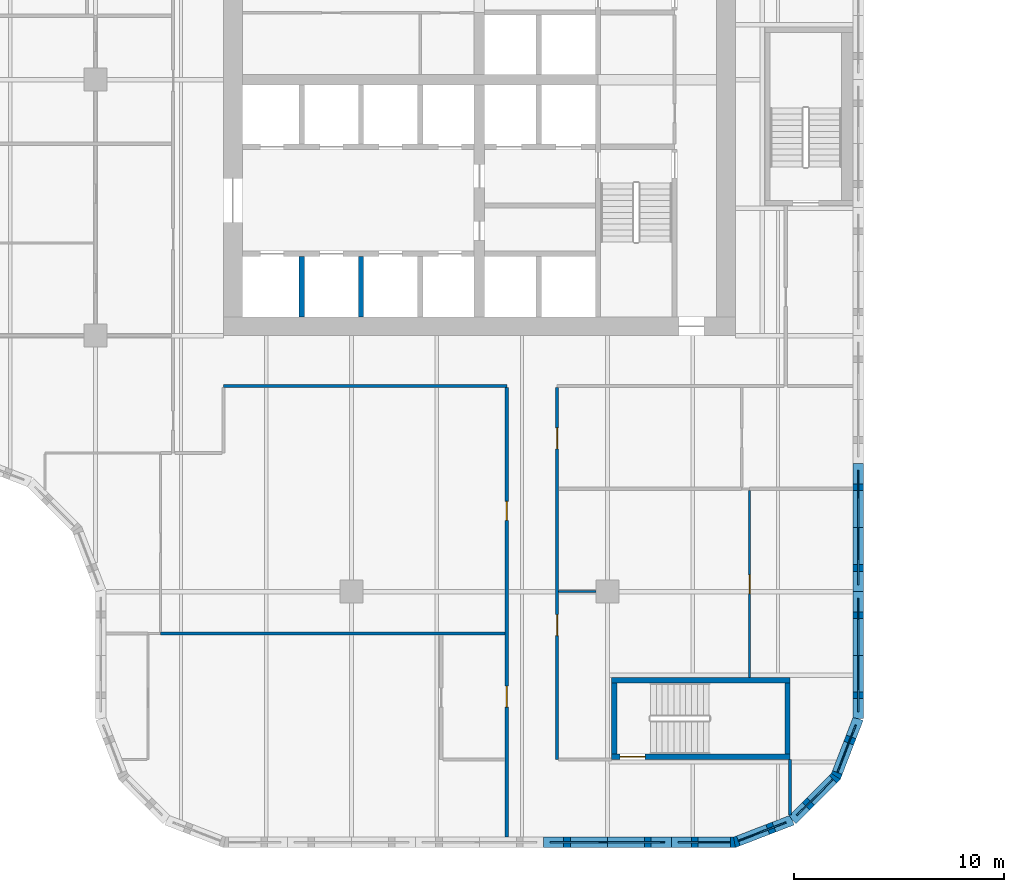
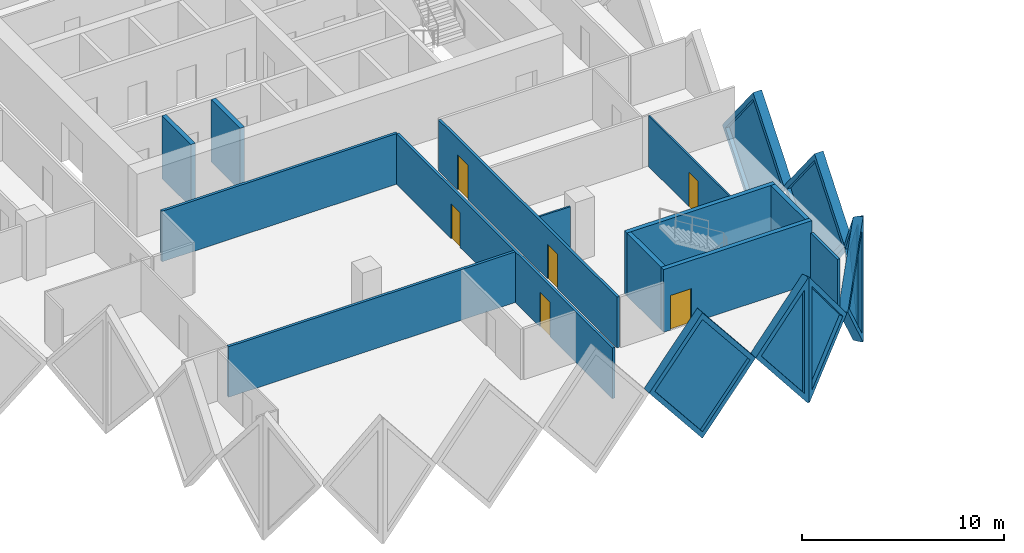
# One storey, part 6 of 20: 20 walls, 7 plates, 6 doors, 13 openings.
"""IFC4 building model written with IfcOpenShell, lengths in metres."""

from ifc_helpers import new_model, si_unit, direction, frame, frame_2d, origin, place, context, subcontext, project, spatial, polyline, rectangle, outline, extrude, faceted_brep, source, transform, mapped, material, layer, layer_set, type_object, element, fill, save


model = new_model("IFC4")

# Units and contexts
model_context = context("Model", 3, precision=1e-05, world=origin(), true_north=direction((0.0, 1.0)))
body_context = subcontext(model_context, "Body", "Model", "MODEL_VIEW")
ifc_project = project(units=[si_unit("LENGTHUNIT", "METRE"), si_unit("AREAUNIT", "SQUARE_METRE"), si_unit("VOLUMEUNIT", "CUBIC_METRE"), si_unit("PLANEANGLEUNIT", "RADIAN"), si_unit("MASSUNIT", "GRAM", prefix="KILO")], contexts=[model_context])

# Site, building, storey
site_placement = place(None, origin())
site = spatial("IfcSite", under=ifc_project, at=site_placement, CompositionType="ELEMENT")
building_placement = place(site_placement, origin())
building = spatial("IfcBuilding", under=site, at=building_placement, Name="Tessera Gate Towers", CompositionType="ELEMENT")
storey_placement = place(building_placement, frame((0.0, 0.0, 48.60009765625)))
storey = spatial("IfcBuildingStorey", under=building, at=storey_placement, Name="L11", CompositionType="ELEMENT", Elevation=48.60009765625)

# Walls
ifc_material_1 = material(Name="Concrete C40/50", Category="concrete")
ifc_layer_1 = layer(ifc_material_1, 0.25)
ifc_layer_set_1 = layer_set([ifc_layer_1], Name="CORE ENCLOSURE WALL 250")
wall_type_1 = type_object("IfcWallType", Name="CORE ENCLOSURE WALL 250", PredefinedType="SOLIDWALL", material=ifc_layer_set_1)
for number, where, z_axis, x_axis, name in (
    (1, (34.22509765625, 25.300048828125, 0.0), (0.0, 0.0, 1.0), (0.0, 1.0, 0.0), "L11 shaft and stair enclosure wall"),
    (2, (37.050048828125, 25.300048828125, 0.0), (0.0, 0.0, 1.0), (0.0, 1.0, 0.0), "L11 shaft and stair enclosure wall"),
):
    element("IfcWall", number, at=place(storey_placement, frame(where, z_axis=z_axis, x_axis=x_axis)), inside=storey, type_object=wall_type_1, Name=name, PredefinedType="SOLIDWALL", context=body_context, shape_type="SweptSolid", body=[
        extrude(rectangle(XDim=2.875, YDim=0.25, at=frame_2d((1.4375, 0.0))), origin(), (0.0, 0.0, 1.0), 3.7998046875),
    ])

# Wall, opening, door
wall_1_placement = place(storey_placement, frame((57.5, 4.324951171875, 0.0), z_axis=(0.0, 0.0, 1.0), x_axis=(-1.0, 0.0, 0.0)))
wall_1 = element("IfcWall", 3, at=wall_1_placement, inside=storey, type_object=wall_type_1, Name="L11 ST4 enclosure wall", PredefinedType="SOLIDWALL", context=body_context, shape_type="SweptSolid", body=[
    extrude(rectangle(XDim=8.5, YDim=0.25, at=frame_2d((4.25, 0.0))), origin(), (0.0, 0.0, 1.0), 3.7998046875),
])
shared_shape_1 = source(origin(), body_context, "Body", "SweptSolid", [
    extrude(rectangle(XDim=1.199951171875, YDim=2.10009765625, at=frame_2d((0.60009765625, 1.050048828125))), frame((0.0, 0.135009765625, 0.0), z_axis=(0.0, -1.0, 0.0), x_axis=(1.0, 0.0, 0.0)), (0.0, 0.0, 1.0), 0.27001953125),
])
opening_1_placement = place(wall_1_placement, frame((6.89990234375, 0.0, 0.0)))
opening_1 = element("IfcOpeningElement", 4, at=opening_1_placement, cuts=wall_1, Name="Opening SD-ST4-1", PredefinedType="OPENING", context=body_context, shape_type="MappedRepresentation", body=[
    mapped(shared_shape_1, transform((0.0, 0.0, 0.0), scale=1.0)),
])
ifc_material_2 = material(Name="Hollow steel fire door", Category="steel")
door_type_1 = type_object("IfcDoorType", Name="CORE DOOR SD 1200x2100", OperationType="NOTDEFINED", PredefinedType="DOOR", material=ifc_material_2)
shared_shape_2 = source(origin(), body_context, "Body", "SweptSolid", [
    extrude(rectangle(XDim=1.199951171875, YDim=2.10009765625, at=frame_2d((0.60009765625, 1.050048828125))), frame((0.0, 0.02490234375, 0.0), z_axis=(0.0, -1.0, 0.0), x_axis=(1.0, 0.0, 0.0)), (0.0, 0.0, 1.0), 0.050048828125),
])
door_1_placement = place(opening_1_placement, origin())
door_1 = element("IfcDoor", 5, at=door_1_placement, inside=storey, type_object=door_type_1, Name="Stair door", OperationType="SINGLE_SWING_RIGHT", OverallHeight=2.10009765625, OverallWidth=1.199951171875, PredefinedType="DOOR", context=body_context, shape_type="MappedRepresentation", body=[
    mapped(shared_shape_2, transform((0.0, 0.0, 0.0), scale=1.0)),
])
fill(opening_1, door_1)

# Walls
wall_2_placement = place(storey_placement, frame((49.125, 4.449951171875, 0.0), z_axis=(0.0, 0.0, 1.0), x_axis=(0.0, 1.0, 0.0)))
element("IfcWall", 6, at=wall_2_placement, inside=storey, type_object=wall_type_1, Name="L11 ST4 enclosure wall", PredefinedType="SOLIDWALL", context=body_context, shape_type="SweptSolid", body=[
    extrude(rectangle(XDim=3.400146484375, YDim=0.25, at=frame_2d((1.7001953125, 0.0))), origin(), (0.0, 0.0, 1.0), 3.7998046875),
])
wall_3_placement = place(storey_placement, frame((49.0, 7.97509765625, 0.0), z_axis=(0.0, 0.0, 1.0), x_axis=(1.0, 0.0, 0.0)))
element("IfcWall", 7, at=wall_3_placement, inside=storey, type_object=wall_type_1, Name="L11 ST4 enclosure wall", PredefinedType="SOLIDWALL", context=body_context, shape_type="SweptSolid", body=[
    extrude(rectangle(XDim=8.5, YDim=0.25, at=frame_2d((4.25, 0.0))), origin(), (0.0, 0.0, 1.0), 3.7998046875),
])
wall_4_placement = place(storey_placement, frame((57.375, 7.85009765625, 0.0), z_axis=(0.0, 0.0, 1.0), x_axis=(0.0, -1.0, 0.0)))
element("IfcWall", 8, at=wall_4_placement, inside=storey, type_object=wall_type_1, Name="L11 ST4 enclosure wall", PredefinedType="SOLIDWALL", context=body_context, shape_type="SweptSolid", body=[
    extrude(rectangle(XDim=3.400146484375, YDim=0.25, at=frame_2d((1.7001953125, 0.0))), origin(), (0.0, 0.0, 1.0), 3.7998046875),
])

# Wall, openings, doors
ifc_material_3 = material(Name="Gypsum board on steel studs, mineral wool", Category="steel")
ifc_layer_2 = layer(ifc_material_3, 0.14990234375)
ifc_layer_set_2 = layer_set([ifc_layer_2], Name="CORRIDOR WALL 150")
wall_type_2 = type_object("IfcWallType", Name="CORRIDOR WALL 150", PredefinedType="PARTITIONING", material=ifc_layer_set_2)
wall_5_placement = place(storey_placement, frame((44.0, 0.5, 0.0), z_axis=(0.0, 0.0, 1.0), x_axis=(0.0, 1.0, 0.0)))
wall_5 = element("IfcWall", 9, at=wall_5_placement, inside=storey, type_object=wall_type_2, Name="T1-L11-PW-001", PredefinedType="PARTITIONING", context=body_context, shape_type="SweptSolid", body=[
    extrude(rectangle(XDim=21.424072265625, YDim=0.14990234375, at=frame_2d((10.7119140625, 0.0))), origin(), (0.0, 0.0, 1.0), 3.06689453125),
])
shared_shape_3 = source(origin(), body_context, "Body", "SweptSolid", [
    extrude(rectangle(XDim=1.0, YDim=2.10009765625, at=frame_2d((0.5, 1.050048828125))), frame((0.0, 0.0849609375, 0.0), z_axis=(0.0, -1.0, 0.0), x_axis=(1.0, 0.0, 0.0)), (0.0, 0.0, 1.0), 0.169921875),
])
opening_2_placement = place(wall_5_placement, frame((6.199951171875, 0.0, 0.0)))
opening_2 = element("IfcOpeningElement", 10, at=opening_2_placement, cuts=wall_5, Name="Opening D2100FD60-A04-04", PredefinedType="OPENING", context=body_context, shape_type="MappedRepresentation", body=[
    mapped(shared_shape_3, transform((0.0, 0.0, 0.0), scale=1.0)),
])
shared_shape_4 = source(origin(), body_context, "Body", "SweptSolid", [
    extrude(rectangle(XDim=0.89990234375, YDim=2.10009765625, at=frame_2d((0.449951171875, 1.050048828125))), frame((0.0, 0.0849609375, 0.0), z_axis=(0.0, -1.0, 0.0), x_axis=(1.0, 0.0, 0.0)), (0.0, 0.0, 1.0), 0.169921875),
])
opening_3_placement = place(wall_5_placement, frame((15.10009765625, 0.0, 0.0)))
opening_3 = element("IfcOpeningElement", 11, at=opening_3_placement, cuts=wall_5, Name="Opening D890FD60-A04-05", PredefinedType="OPENING", context=body_context, shape_type="MappedRepresentation", body=[
    mapped(shared_shape_4, transform((0.0, 0.0, 0.0), scale=1.0)),
])
ifc_material_4 = material(Name="Timber door leaf in steel frame", Category="steel")
door_type_2 = type_object("IfcDoorType", Name="CORRIDOR DOOR 900 FD60", OperationType="NOTDEFINED", PredefinedType="DOOR", material=ifc_material_4)
shared_shape_5 = source(origin(), body_context, "Body", "SweptSolid", [
    extrude(rectangle(XDim=0.89990234375, YDim=2.10009765625, at=frame_2d((0.449951171875, 1.050048828125))), frame((0.0, 0.02490234375, 0.0), z_axis=(0.0, -1.0, 0.0), x_axis=(1.0, 0.0, 0.0)), (0.0, 0.0, 1.0), 0.050048828125),
])
door_2_placement = place(opening_3_placement, origin())
door_2 = element("IfcDoor", 12, at=door_2_placement, inside=storey, type_object=door_type_2, Name="T1-L11-PD-026", OperationType="SINGLE_SWING_LEFT", OverallHeight=2.10009765625, OverallWidth=0.89990234375, PredefinedType="DOOR", context=body_context, shape_type="MappedRepresentation", body=[
    mapped(shared_shape_5, transform((0.0, 0.0, 0.0), scale=1.0)),
])
fill(opening_3, door_2)
ifc_material_5 = material(Name="Timber door leaf in steel frame", Category="steel")
door_type_3 = type_object("IfcDoorType", Name="TENANCY ENTRANCE DOOR 1000 FD60", OperationType="NOTDEFINED", PredefinedType="DOOR", material=ifc_material_5)
shared_shape_6 = source(origin(), body_context, "Body", "SweptSolid", [
    extrude(rectangle(XDim=1.0, YDim=2.10009765625, at=frame_2d((0.5, 1.050048828125))), frame((0.0, 0.02490234375, 0.0), z_axis=(0.0, -1.0, 0.0), x_axis=(1.0, 0.0, 0.0)), (0.0, 0.0, 1.0), 0.050048828125),
])
door_3_placement = place(opening_2_placement, origin())
door_3 = element("IfcDoor", 13, at=door_3_placement, inside=storey, type_object=door_type_3, Name="T1-L11-PD-015", OperationType="SINGLE_SWING_LEFT", OverallHeight=2.10009765625, OverallWidth=1.0, PredefinedType="DOOR", context=body_context, shape_type="MappedRepresentation", body=[
    mapped(shared_shape_6, transform((0.0, 0.0, 0.0), scale=1.0)),
])
fill(opening_2, door_3)

# Wall
wall_6_placement = place(storey_placement, frame((57.5, 1.55908203125, 0.0), z_axis=(0.0, 0.0, 1.0), x_axis=(0.0, 1.0, 0.0)))
element("IfcWall", 14, at=wall_6_placement, inside=storey, type_object=wall_type_2, Name="T1-L11-PW-002", PredefinedType="PARTITIONING", context=body_context, shape_type="SweptSolid", body=[
    extrude(rectangle(XDim=2.640869140625, YDim=0.14990234375, at=frame_2d((1.3203125, 0.0))), origin(), (0.0, 0.0, 1.0), 3.06689453125),
])

# Wall, openings, doors
wall_7_placement = place(storey_placement, frame((46.39990234375, 21.924072265625, 0.0), z_axis=(0.0, 0.0, 1.0), x_axis=(0.0, -1.0, 0.0)))
wall_7 = element("IfcWall", 15, at=wall_7_placement, inside=storey, type_object=wall_type_2, Name="T1-L11-PW-007", PredefinedType="PARTITIONING", context=body_context, shape_type="SweptSolid", body=[
    extrude(rectangle(XDim=17.72412109375, YDim=0.14990234375, at=frame_2d((8.862060546875, 0.0))), origin(), (0.0, 0.0, 1.0), 3.06689453125),
])
opening_4_placement = place(wall_7_placement, frame((1.923095703125, 0.0, 0.0)))
opening_4 = element("IfcOpeningElement", 16, at=opening_4_placement, cuts=wall_7, Name="Opening D2100FD60-A04-02", PredefinedType="OPENING", context=body_context, shape_type="MappedRepresentation", body=[
    mapped(shared_shape_3, transform((0.0, 0.0, 0.0), scale=1.0)),
])
opening_5_placement = place(wall_7_placement, frame((10.823974609375, 0.0, 0.0)))
opening_5 = element("IfcOpeningElement", 17, at=opening_5_placement, cuts=wall_7, Name="Opening D2100FD60-A04-09", PredefinedType="OPENING", context=body_context, shape_type="MappedRepresentation", body=[
    mapped(shared_shape_3, transform((0.0, 0.0, 0.0), scale=1.0)),
])
door_4_placement = place(opening_4_placement, origin())
door_4 = element("IfcDoor", 18, at=door_4_placement, inside=storey, type_object=door_type_3, Name="T1-L11-PD-008", OperationType="SINGLE_SWING_RIGHT", OverallHeight=2.10009765625, OverallWidth=1.0, PredefinedType="DOOR", context=body_context, shape_type="MappedRepresentation", body=[
    mapped(shared_shape_6, transform((0.0, 0.0, 0.0), scale=1.0)),
])
fill(opening_4, door_4)
door_5_placement = place(opening_5_placement, origin())
door_5 = element("IfcDoor", 19, at=door_5_placement, inside=storey, type_object=door_type_3, Name="T1-L11-PD-029", OperationType="SINGLE_SWING_RIGHT", OverallHeight=2.10009765625, OverallWidth=1.0, PredefinedType="DOOR", context=body_context, shape_type="MappedRepresentation", body=[
    mapped(shared_shape_6, transform((0.0, 0.0, 0.0), scale=1.0)),
])
fill(opening_5, door_5)

# Wall
wall_8_placement = place(storey_placement, frame((30.5, 22.0, 0.0), z_axis=(0.0, 0.0, 1.0), x_axis=(1.0, 0.0, 0.0)))
element("IfcWall", 20, at=wall_8_placement, inside=storey, type_object=wall_type_2, Name="T1-L11-PW-026", PredefinedType="PARTITIONING", context=body_context, shape_type="SweptSolid", body=[
    extrude(rectangle(XDim=13.5, YDim=0.14990234375, at=frame_2d((6.75, 0.0))), origin(), (0.0, 0.0, 1.0), 3.06689453125),
])

# Wall, opening, door
ifc_material_6 = material(Name="Glass", Category="glass")
ifc_layer_3 = layer(ifc_material_6, 0.10009765625)
ifc_layer_set_3 = layer_set([ifc_layer_3], Name="GLAZED PARTITION 100")
wall_type_3 = type_object("IfcWallType", Name="GLAZED PARTITION 100", PredefinedType="PARTITIONING", material=ifc_layer_set_3)
wall_9_placement = place(storey_placement, frame((55.574951171875, 17.02392578125, 0.0), z_axis=(0.0, 0.0, 1.0), x_axis=(0.0, -1.0, 0.0)))
wall_9 = element("IfcWall", 21, at=wall_9_placement, inside=storey, type_object=wall_type_3, Name="T1-L11-PW-009", PredefinedType="PARTITIONING", context=body_context, shape_type="SweptSolid", body=[
    extrude(rectangle(XDim=8.923828125, YDim=0.10009765625, at=frame_2d((4.4619140625, 0.0))), origin(), (0.0, 0.0, 1.0), 3.06689453125),
])
shared_shape_7 = source(origin(), body_context, "Body", "SweptSolid", [
    extrude(rectangle(XDim=0.89990234375, YDim=2.10009765625, at=frame_2d((0.449951171875, 1.050048828125))), frame((0.0, 0.06005859375, 0.0), z_axis=(0.0, -1.0, 0.0), x_axis=(1.0, 0.0, 0.0)), (0.0, 0.0, 1.0), 0.1201171875),
])
opening_6_placement = place(wall_9_placement, frame((4.02392578125, 0.0, 0.0)))
opening_6 = element("IfcOpeningElement", 22, at=opening_6_placement, cuts=wall_9, Name="Opening D690-A04-04", PredefinedType="OPENING", context=body_context, shape_type="MappedRepresentation", body=[
    mapped(shared_shape_7, transform((0.0, 0.0, 0.0), scale=1.0)),
])
ifc_material_7 = material(Name="Glass in aluminium frame", Category="aluminium")
door_type_4 = type_object("IfcDoorType", Name="GLAZED DOOR 900 NOT RATED", OperationType="NOTDEFINED", PredefinedType="DOOR", material=ifc_material_7)
door_6_placement = place(opening_6_placement, origin())
door_6 = element("IfcDoor", 23, at=door_6_placement, inside=storey, type_object=door_type_4, Name="T1-L11-PD-022", OperationType="SINGLE_SWING_RIGHT", OverallHeight=2.10009765625, OverallWidth=0.89990234375, PredefinedType="DOOR", context=body_context, shape_type="MappedRepresentation", body=[
    mapped(shared_shape_5, transform((0.0, 0.0, 0.0), scale=1.0)),
])
fill(opening_6, door_6)

# Walls
ifc_material_8 = material(Name="Gypsum board on steel studs", Category="steel")
ifc_layer_4 = layer(ifc_material_8, 0.10009765625)
ifc_layer_set_4 = layer_set([ifc_layer_4], Name="PARTITION 100")
wall_type_4 = type_object("IfcWallType", Name="PARTITION 100", PredefinedType="PARTITIONING", material=ifc_layer_set_4)
wall_10_placement = place(storey_placement, frame((48.25, 12.199951171875, 0.0), z_axis=(0.0, 0.0, 1.0), x_axis=(-1.0, 0.0, 0.0)))
element("IfcWall", 24, at=wall_10_placement, inside=storey, type_object=wall_type_4, Name="T1-L11-PW-014", PredefinedType="PARTITIONING", context=body_context, shape_type="SweptSolid", body=[
    extrude(rectangle(XDim=1.77490234375, YDim=0.10009765625, at=frame_2d((0.887451171875, 0.0))), origin(), (0.0, 0.0, 1.0), 3.06689453125),
])
ifc_material_9 = material(Name="Gypsum board on steel studs, mineral wool", Category="steel")
ifc_layer_5 = layer(ifc_material_9, 0.14990234375)
ifc_layer_set_5 = layer_set([ifc_layer_5], Name="TENANCY WALL 150")
wall_type_5 = type_object("IfcWallType", Name="TENANCY WALL 150", PredefinedType="PARTITIONING", material=ifc_layer_set_5)
wall_11_placement = place(storey_placement, frame((27.5, 10.199951171875, 0.0), z_axis=(0.0, 0.0, 1.0), x_axis=(1.0, 0.0, 0.0)))
element("IfcWall", 25, at=wall_11_placement, inside=storey, type_object=wall_type_5, Name="T1-L11-PW-012", PredefinedType="PARTITIONING", context=body_context, shape_type="SweptSolid", body=[
    extrude(rectangle(XDim=16.424072265625, YDim=0.14990234375, at=frame_2d((8.2119140625, 0.0))), origin(), (0.0, 0.0, 1.0), 3.06689453125),
])

# Wall, opening, plate
ifc_material_10 = material(Name="Precast concrete C60/75 white", Category="concrete")
ifc_layer_6 = layer(ifc_material_10, 0.5)
ifc_layer_set_6 = layer_set([ifc_layer_6], Name="TS1 tessera")
wall_type_6 = type_object("IfcWallType", Name="TS1 tessera", PredefinedType="SOLIDWALL", material=ifc_layer_set_6)
shared_shape_8 = source(origin(), body_context, "Body", "Brep", [
    faceted_brep([(3.00341796875, -0.25, 0.0), (6.053466796875, -0.25, 3.800048828125), (3.00341796875, -0.25, 7.599853515625), (0.0, -0.25, 3.800048828125), (0.046630859375, 0.25, 3.85888671875), (3.00341796875, 0.25, 7.599853515625), (6.053466796875, 0.25, 3.800048828125), (3.00341796875, 0.25, 0.0), (0.046630859375, 0.25, 3.7412109375), (0.0, 0.0, 3.800048828125)], [[[0, 1, 2, 3]], [[4, 5, 6, 7, 8]], [[7, 6, 1, 0]], [[6, 5, 2, 1]], [[5, 4, 9, 3, 2]], [[8, 7, 0, 3, 9]], [[8, 9, 4]]]),
])
wall_12_placement = place(storey_placement, frame((60.75, 6.146484375, -3.800048828125), z_axis=(0.0, 0.0, 1.0), x_axis=(0.0, 1.0, 0.0)))
wall_12 = element("IfcWall", 26, at=wall_12_placement, inside=storey, type_object=wall_type_6, Name="Precast tessera T1 TS1-0141", PredefinedType="SOLIDWALL", context=body_context, shape_type="MappedRepresentation", body=[
    mapped(shared_shape_8, transform((0.0, 0.0, 0.0), scale=1.0)),
])
shared_shape_9 = source(origin(), body_context, "Body", "SweptSolid", [
    extrude(outline(polyline([(3.0048828125, 0.401123046875), (5.73291015625, 3.800048828125), (3.0048828125, 7.19873046875), (0.318603515625, 3.800048828125), (3.0048828125, 0.401123046875)])), frame((0.0, 0.260009765625, 0.0), z_axis=(0.0, -1.0, 0.0), x_axis=(1.0, 0.0, 0.0)), (0.0, 0.0, 1.0), 0.52001953125),
])
opening_7_placement = place(wall_12_placement, origin())
opening_7 = element("IfcOpeningElement", 27, at=opening_7_placement, cuts=wall_12, Name="Opening T1-PL2-0291", PredefinedType="OPENING", context=body_context, shape_type="MappedRepresentation", body=[
    mapped(shared_shape_9, transform((0.0, 0.0, 0.0), scale=1.0)),
])
ifc_material_11 = material(Name="Low-e laminated glass", Category="glass")
ifc_layer_7 = layer(ifc_material_11, 0.06005859375)
ifc_layer_set_7 = layer_set([ifc_layer_7], Name="PL2 rhombic pane")
plate_type = type_object("IfcPlateType", Name="PL2 rhombic pane", PredefinedType="SHEET", material=ifc_layer_set_7)
shared_shape_10 = source(origin(), body_context, "Body", "SweptSolid", [
    extrude(outline(polyline([(3.0048828125, 0.401123046875), (5.73291015625, 3.800048828125), (3.0048828125, 7.19873046875), (0.318603515625, 3.800048828125), (3.0048828125, 0.401123046875)])), frame((0.0, 0.030029296875, 0.0), z_axis=(0.0, -1.0, 0.0), x_axis=(1.0, 0.0, 0.0)), (0.0, 0.0, 1.0), 0.06005859375),
])
plate_1_placement = place(opening_7_placement, origin())
plate_1 = element("IfcPlate", 28, at=plate_1_placement, inside=storey, type_object=plate_type, Name="Glass pane T1 PL2-0291", PredefinedType="SHEET", context=body_context, shape_type="MappedRepresentation", body=[
    mapped(shared_shape_10, transform((0.0, 0.0, 0.0), scale=1.0)),
])
fill(opening_7, plate_1)

shared_shape_11 = source(origin(), body_context, "Body", "SweptSolid", [
    extrude(outline(polyline([(3.050048828125, 0.0), (6.10009765625, 3.800048828125), (3.050048828125, 7.599853515625), (0.0, 3.800048828125), (3.050048828125, 0.0)])), frame((0.0, 0.25, 0.0), z_axis=(0.0, -1.0, 0.0), x_axis=(1.0, 0.0, 0.0)), (0.0, 0.0, 1.0), 0.5),
])
wall_13_placement = place(storey_placement, frame((45.75, 0.25, -3.800048828125), z_axis=(0.0, 0.0, 1.0), x_axis=(1.0, 0.0, 0.0)))
wall_13 = element("IfcWall", 29, at=wall_13_placement, inside=storey, type_object=wall_type_6, Name="Precast tessera T1 TS1-0140", PredefinedType="SOLIDWALL", context=body_context, shape_type="MappedRepresentation", body=[
    mapped(shared_shape_11, transform((0.0, 0.0, 0.0), scale=1.0)),
])
shared_shape_12 = source(origin(), body_context, "Body", "SweptSolid", [
    extrude(outline(polyline([(3.050048828125, 0.3994140625), (5.779541015625, 3.800048828125), (3.050048828125, 7.200439453125), (0.320556640625, 3.800048828125), (3.050048828125, 0.3994140625)])), frame((0.0, 0.260009765625, 0.0), z_axis=(0.0, -1.0, 0.0), x_axis=(1.0, 0.0, 0.0)), (0.0, 0.0, 1.0), 0.52001953125),
])
opening_8_placement = place(wall_13_placement, origin())
opening_8 = element("IfcOpeningElement", 30, at=opening_8_placement, cuts=wall_13, Name="Opening T1-PL2-0286", PredefinedType="OPENING", context=body_context, shape_type="MappedRepresentation", body=[
    mapped(shared_shape_12, transform((0.0, 0.0, 0.0), scale=1.0)),
])
shared_shape_13 = source(origin(), body_context, "Body", "SweptSolid", [
    extrude(outline(polyline([(3.050048828125, 0.3994140625), (5.779541015625, 3.800048828125), (3.050048828125, 7.200439453125), (0.320556640625, 3.800048828125), (3.050048828125, 0.3994140625)])), frame((0.0, 0.030029296875, 0.0), z_axis=(0.0, -1.0, 0.0), x_axis=(1.0, 0.0, 0.0)), (0.0, 0.0, 1.0), 0.06005859375),
])
plate_2_placement = place(opening_8_placement, origin())
plate_2 = element("IfcPlate", 31, at=plate_2_placement, inside=storey, type_object=plate_type, Name="Glass pane T1 PL2-0286", PredefinedType="SHEET", context=body_context, shape_type="MappedRepresentation", body=[
    mapped(shared_shape_13, transform((0.0, 0.0, 0.0), scale=1.0)),
])
fill(opening_8, plate_2)

wall_14_placement = place(storey_placement, frame((60.75, 12.199951171875, -3.800048828125), z_axis=(0.0, 0.0, 1.0), x_axis=(0.0, 1.0, 0.0)))
wall_14 = element("IfcWall", 32, at=wall_14_placement, inside=storey, type_object=wall_type_6, Name="Precast tessera T1 TS1-0142", PredefinedType="SOLIDWALL", context=body_context, shape_type="MappedRepresentation", body=[
    mapped(shared_shape_11, transform((0.0, 0.0, 0.0), scale=1.0)),
])
opening_9_placement = place(wall_14_placement, origin())
opening_9 = element("IfcOpeningElement", 33, at=opening_9_placement, cuts=wall_14, Name="Opening T1-PL2-0292", PredefinedType="OPENING", context=body_context, shape_type="MappedRepresentation", body=[
    mapped(shared_shape_12, transform((0.0, 0.0, 0.0), scale=1.0)),
])
plate_3_placement = place(opening_9_placement, origin())
plate_3 = element("IfcPlate", 34, at=plate_3_placement, inside=storey, type_object=plate_type, Name="Glass pane T1 PL2-0292", PredefinedType="SHEET", context=body_context, shape_type="MappedRepresentation", body=[
    mapped(shared_shape_13, transform((0.0, 0.0, 0.0), scale=1.0)),
])
fill(opening_9, plate_3)

ifc_material_12 = material(Name="Precast concrete C60/75 white", Category="concrete")
ifc_layer_8 = layer(ifc_material_12, 0.5)
ifc_layer_set_8 = layer_set([ifc_layer_8], Name="TS3 corner tessera")
wall_type_7 = type_object("IfcWallType", Name="TS3 corner tessera", PredefinedType="SOLIDWALL", material=ifc_layer_set_8)
shared_shape_14 = source(origin(), body_context, "Body", "Brep", [
    faceted_brep([(3.00341796875, -0.25, 0.0), (3.050048828125, -0.25, 0.06005859375), (3.050048828125, -0.25, 7.539794921875), (3.00341796875, -0.25, 7.599853515625), (0.0, -0.25, 3.800048828125), (0.0, 0.25, 3.800048828125), (2.956787109375, 0.25, 7.541015625), (2.956787109375, 0.25, 0.058837890625), (3.00341796875, 0.000244140625, 0.0), (3.00341796875, 0.000244140625, 7.599853515625)], [[[0, 1, 2, 3, 4]], [[5, 6, 7]], [[1, 0, 8]], [[9, 3, 2]], [[6, 5, 4, 3, 9]], [[5, 7, 8, 0, 4]], [[1, 8, 7, 6, 9, 2]]]),
])
wall_15_placement = place(storey_placement, frame((51.85009765625, 0.25, -3.800048828125), z_axis=(0.0, 0.0, 1.0), x_axis=(1.0, 0.0, 0.0)))
wall_15 = element("IfcWall", 35, at=wall_15_placement, inside=storey, type_object=wall_type_7, Name="Precast corner tessera T1 TS3-0219", PredefinedType="SOLIDWALL", context=body_context, shape_type="MappedRepresentation", body=[
    mapped(shared_shape_14, transform((0.0, 0.0, 0.0), scale=1.0)),
])
shared_shape_15 = source(origin(), body_context, "Body", "SweptSolid", [
    extrude(outline(polyline([(2.803466796875, 6.94384765625), (0.318603515625, 3.800048828125), (2.803466796875, 0.65625), (2.803466796875, 6.94384765625)])), frame((0.0, 0.260009765625, 0.0), z_axis=(0.0, -1.0, 0.0), x_axis=(1.0, 0.0, 0.0)), (0.0, 0.0, 1.0), 0.52001953125),
])
opening_10_placement = place(wall_15_placement, origin())
opening_10 = element("IfcOpeningElement", 36, at=opening_10_placement, cuts=wall_15, Name="Opening T1-PL2-0287", PredefinedType="OPENING", context=body_context, shape_type="MappedRepresentation", body=[
    mapped(shared_shape_15, transform((0.0, 0.0, 0.0), scale=1.0)),
])
shared_shape_16 = source(origin(), body_context, "Body", "SweptSolid", [
    extrude(outline(polyline([(2.803466796875, 6.94384765625), (0.318603515625, 3.800048828125), (2.803466796875, 0.65625), (2.803466796875, 6.94384765625)])), frame((0.0, 0.030029296875, 0.0), z_axis=(0.0, -1.0, 0.0), x_axis=(1.0, 0.0, 0.0)), (0.0, 0.0, 1.0), 0.06005859375),
])
plate_4_placement = place(opening_10_placement, origin())
plate_4 = element("IfcPlate", 37, at=plate_4_placement, inside=storey, type_object=plate_type, Name="Glass pane T1 PL2-0287", PredefinedType="SHEET", context=body_context, shape_type="MappedRepresentation", body=[
    mapped(shared_shape_16, transform((0.0, 0.0, 0.0), scale=1.0)),
])
fill(opening_10, plate_4)

shared_shape_17 = source(origin(), body_context, "Body", "Brep", [
    faceted_brep([(0.046630859375, -0.25, 0.0), (2.9970703125, -0.25, 3.800048828125), (0.046630859375, -0.25, 7.599853515625), (0.0, -0.25, 7.541015625), (0.0, -0.25, 0.058837890625), (0.09326171875, 0.25, 7.539794921875), (2.9443359375, 0.25, 3.8681640625), (2.9443359375, 0.25, 3.73193359375), (0.09326171875, 0.25, 0.06005859375), (2.9970703125, 0.00048828125, 3.800048828125), (0.046630859375, 0.0, 0.0), (0.046630859375, 0.0, 7.599853515625)], [[[0, 1, 2, 3, 4]], [[5, 6, 7, 8]], [[8, 7, 9, 1, 0, 10]], [[6, 5, 11, 2, 1, 9]], [[3, 2, 11]], [[10, 0, 4]], [[8, 10, 4, 3, 11, 5]], [[7, 6, 9]]]),
])
wall_16_placement = place(storey_placement, frame((54.81005859375, 0.233154296875, -3.800048828125), z_axis=(0.0, 0.0, 1.0), x_axis=(0.932990326376, 0.359901446078, 0.0)))
wall_16 = element("IfcWall", 38, at=wall_16_placement, inside=storey, type_object=wall_type_7, Name="Precast corner tessera T1 TS3-0220", PredefinedType="SOLIDWALL", context=body_context, shape_type="MappedRepresentation", body=[
    mapped(shared_shape_17, transform((0.0, 0.0, 0.0), scale=1.0)),
])
shared_shape_18 = source(origin(), body_context, "Body", "SweptSolid", [
    extrude(outline(polyline([(0.24658203125, 0.665283203125), (2.6806640625, 3.800048828125), (0.24658203125, 6.934814453125), (0.24658203125, 0.665283203125)])), frame((0.0, 0.260009765625, 0.0), z_axis=(0.0, -1.0, 0.0), x_axis=(1.0, 0.0, 0.0)), (0.0, 0.0, 1.0), 0.52001953125),
])
opening_11_placement = place(wall_16_placement, origin())
opening_11 = element("IfcOpeningElement", 39, at=opening_11_placement, cuts=wall_16, Name="Opening T1-PL2-0288", PredefinedType="OPENING", context=body_context, shape_type="MappedRepresentation", body=[
    mapped(shared_shape_18, transform((0.0, 0.0, 0.0), scale=1.0)),
])
shared_shape_19 = source(origin(), body_context, "Body", "SweptSolid", [
    extrude(outline(polyline([(0.24658203125, 0.665283203125), (2.6806640625, 3.800048828125), (0.24658203125, 6.934814453125), (0.24658203125, 0.665283203125)])), frame((0.0, 0.030029296875, 0.0), z_axis=(0.0, -1.0, 0.0), x_axis=(1.0, 0.0, 0.0)), (0.0, 0.0, 1.0), 0.06005859375),
])
plate_5_placement = place(opening_11_placement, origin())
plate_5 = element("IfcPlate", 40, at=plate_5_placement, inside=storey, type_object=plate_type, Name="Glass pane T1 PL2-0288", PredefinedType="SHEET", context=body_context, shape_type="MappedRepresentation", body=[
    mapped(shared_shape_19, transform((0.0, 0.0, 0.0), scale=1.0)),
])
fill(opening_11, plate_5)

shared_shape_20 = source(origin(), body_context, "Body", "Brep", [
    faceted_brep([(2.944091796875, -0.25, 0.0), (2.9970703125, -0.25, 0.068115234375), (2.9970703125, -0.25, 7.53173828125), (2.944091796875, -0.25, 7.599853515625), (0.0, -0.25, 3.800048828125), (0.052978515625, 0.25, 3.868408203125), (2.89111328125, 0.25, 7.53173828125), (2.89111328125, 0.25, 0.068115234375), (0.052978515625, 0.25, 3.731689453125), (2.944091796875, 0.000244140625, 0.0), (2.944091796875, 0.000244140625, 7.599853515625), (0.0, 0.0, 3.800048828125)], [[[0, 1, 2, 3, 4]], [[5, 6, 7, 8]], [[1, 0, 9]], [[10, 3, 2]], [[6, 5, 11, 4, 3, 10]], [[8, 7, 9, 0, 4, 11]], [[8, 11, 5]], [[1, 9, 7, 6, 10, 2]]]),
])
wall_17_placement = place(storey_placement, frame((57.606201171875, 1.31201171875, -3.800048828125), z_axis=(0.0, 0.0, 1.0), x_axis=(0.707147509625, 0.707066050402, 0.0)))
wall_17 = element("IfcWall", 41, at=wall_17_placement, inside=storey, type_object=wall_type_7, Name="Precast corner tessera T1 TS3-0221", PredefinedType="SOLIDWALL", context=body_context, shape_type="MappedRepresentation", body=[
    mapped(shared_shape_20, transform((0.0, 0.0, 0.0), scale=1.0)),
])
shared_shape_21 = source(origin(), body_context, "Body", "SweptSolid", [
    extrude(outline(polyline([(2.744140625, 6.93359375), (0.316162109375, 3.800048828125), (2.744140625, 0.666259765625), (2.744140625, 6.93359375)])), frame((0.0, 0.260009765625, 0.0), z_axis=(0.0, -1.0, 0.0), x_axis=(1.0, 0.0, 0.0)), (0.0, 0.0, 1.0), 0.52001953125),
])
opening_12_placement = place(wall_17_placement, origin())
opening_12 = element("IfcOpeningElement", 42, at=opening_12_placement, cuts=wall_17, Name="Opening T1-PL2-0289", PredefinedType="OPENING", context=body_context, shape_type="MappedRepresentation", body=[
    mapped(shared_shape_21, transform((0.0, 0.0, 0.0), scale=1.0)),
])
shared_shape_22 = source(origin(), body_context, "Body", "SweptSolid", [
    extrude(outline(polyline([(2.744140625, 6.93359375), (0.316162109375, 3.800048828125), (2.744140625, 0.666259765625), (2.744140625, 6.93359375)])), frame((0.0, 0.030029296875, 0.0), z_axis=(0.0, -1.0, 0.0), x_axis=(1.0, 0.0, 0.0)), (0.0, 0.0, 1.0), 0.06005859375),
])
plate_6_placement = place(opening_12_placement, origin())
plate_6 = element("IfcPlate", 43, at=plate_6_placement, inside=storey, type_object=plate_type, Name="Glass pane T1 PL2-0289", PredefinedType="SHEET", context=body_context, shape_type="MappedRepresentation", body=[
    mapped(shared_shape_22, transform((0.0, 0.0, 0.0), scale=1.0)),
])
fill(opening_12, plate_6)

shared_shape_23 = source(origin(), body_context, "Body", "Brep", [
    faceted_brep([(0.052978515625, -0.25, 0.0), (3.00341796875, -0.25, 3.800048828125), (0.052978515625, -0.25, 7.599853515625), (0.0, -0.25, 7.531494140625), (0.0, -0.25, 0.068359375), (0.10595703125, 0.25, 7.53173828125), (2.95703125, 0.25, 3.85986328125), (2.95703125, 0.25, 3.740234375), (0.10595703125, 0.25, 0.068115234375), (3.00341796875, 0.00048828125, 3.800048828125), (0.052978515625, 0.0, 0.0), (0.052978515625, 0.0, 7.599853515625)], [[[0, 1, 2, 3, 4]], [[5, 6, 7, 8]], [[8, 7, 9, 1, 0, 10]], [[6, 5, 11, 2, 1, 9]], [[3, 2, 11]], [[10, 0, 4]], [[8, 10, 4, 3, 11, 5]], [[7, 6, 9]]]),
])
wall_18_placement = place(storey_placement, frame((59.6689453125, 3.34423828125, -3.800048828125), z_axis=(0.0, 0.0, 1.0), x_axis=(0.35992665181, 0.932980602862, 0.0)))
wall_18 = element("IfcWall", 44, at=wall_18_placement, inside=storey, type_object=wall_type_7, Name="Precast corner tessera T1 TS3-0222", PredefinedType="SOLIDWALL", context=body_context, shape_type="MappedRepresentation", body=[
    mapped(shared_shape_23, transform((0.0, 0.0, 0.0), scale=1.0)),
])
shared_shape_24 = source(origin(), body_context, "Body", "SweptSolid", [
    extrude(outline(polyline([(0.2529296875, 0.665283203125), (2.68701171875, 3.800048828125), (0.2529296875, 6.934814453125), (0.2529296875, 0.665283203125)])), frame((0.0, 0.260009765625, 0.0), z_axis=(0.0, -1.0, 0.0), x_axis=(1.0, 0.0, 0.0)), (0.0, 0.0, 1.0), 0.52001953125),
])
opening_13_placement = place(wall_18_placement, origin())
opening_13 = element("IfcOpeningElement", 45, at=opening_13_placement, cuts=wall_18, Name="Opening T1-PL2-0290", PredefinedType="OPENING", context=body_context, shape_type="MappedRepresentation", body=[
    mapped(shared_shape_24, transform((0.0, 0.0, 0.0), scale=1.0)),
])
shared_shape_25 = source(origin(), body_context, "Body", "SweptSolid", [
    extrude(outline(polyline([(0.2529296875, 0.665283203125), (2.68701171875, 3.800048828125), (0.2529296875, 6.934814453125), (0.2529296875, 0.665283203125)])), frame((0.0, 0.030029296875, 0.0), z_axis=(0.0, -1.0, 0.0), x_axis=(1.0, 0.0, 0.0)), (0.0, 0.0, 1.0), 0.06005859375),
])
plate_7_placement = place(opening_13_placement, origin())
plate_7 = element("IfcPlate", 46, at=plate_7_placement, inside=storey, type_object=plate_type, Name="Glass pane T1 PL2-0290", PredefinedType="SHEET", context=body_context, shape_type="MappedRepresentation", body=[
    mapped(shared_shape_25, transform((0.0, 0.0, 0.0), scale=1.0)),
])
fill(opening_13, plate_7)

save(model, "model.ifc")
